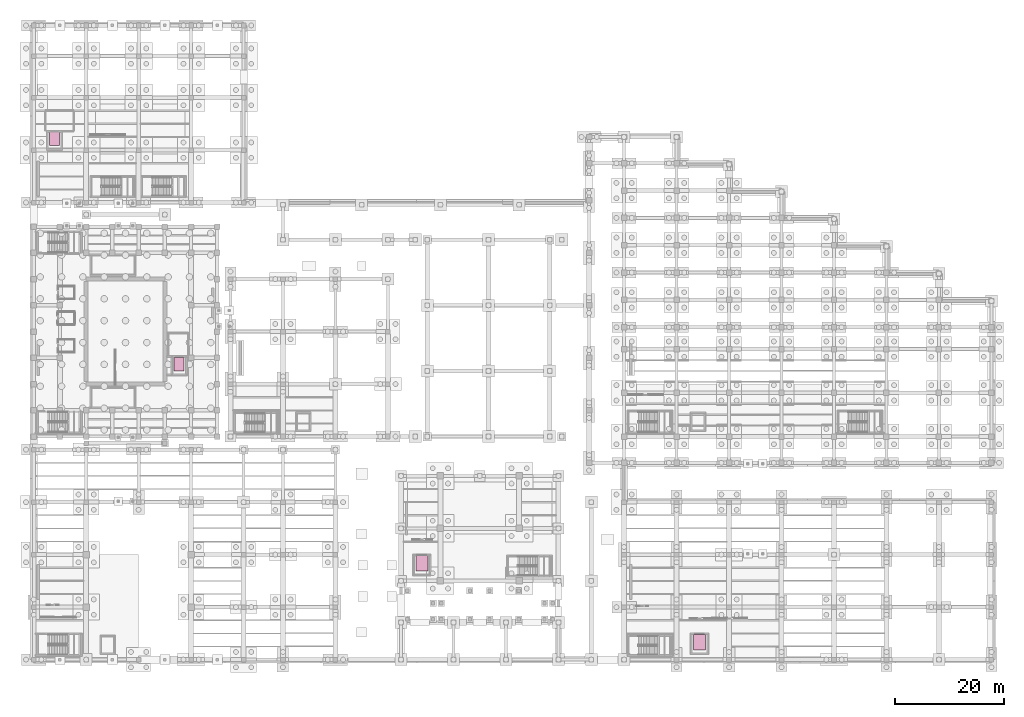
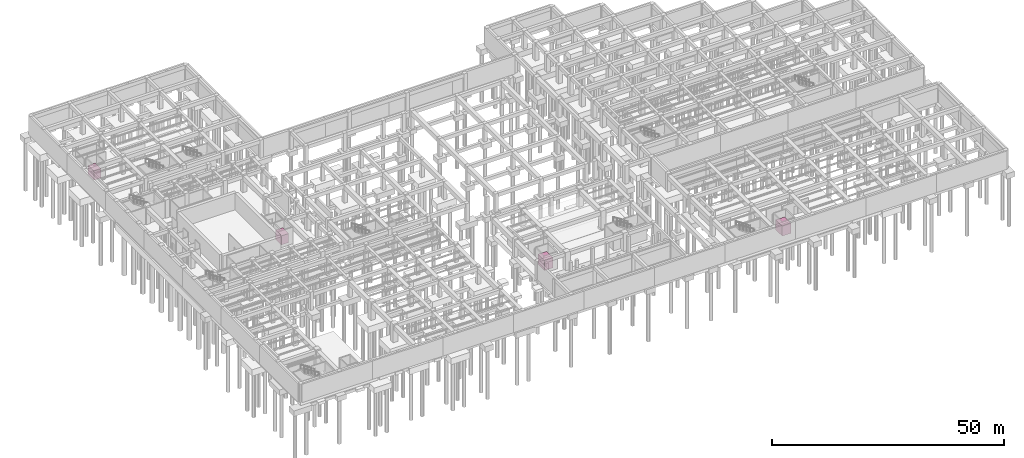
# One storey, part 56 of 56: 4 transport elements.
"""IFC4 building model written with IfcOpenShell, lengths in metres."""

from ifc_helpers import new_model, si_unit, direction, frame, origin, origin_2d, place, context, subcontext, project, spatial, rectangle, extrude, material, type_object, element, save


model = new_model("IFC4")

# Units and contexts
model_context = context("Model", 3, precision=1e-05, world=origin(), true_north=direction((0.0, 1.0)))
body_context = subcontext(model_context, "Body", "Model", "MODEL_VIEW")
ifc_project = project(units=[si_unit("LENGTHUNIT", "METRE"), si_unit("AREAUNIT", "SQUARE_METRE"), si_unit("VOLUMEUNIT", "CUBIC_METRE"), si_unit("PLANEANGLEUNIT", "RADIAN"), si_unit("MASSUNIT", "GRAM", prefix="KILO")], contexts=[model_context])

# Site, building, storey
site_placement = place(None, origin())
site = spatial("IfcSite", under=ifc_project, at=site_placement, CompositionType="ELEMENT")
building_placement = place(site_placement, origin())
building = spatial("IfcBuilding", under=site, at=building_placement, Name="Mavantir Sound Aquarium", CompositionType="ELEMENT")
storey_placement = place(building_placement, frame((0.0, 0.0, -9.60009765625)))
storey = spatial("IfcBuildingStorey", under=building, at=storey_placement, Name="B2", CompositionType="ELEMENT", Elevation=-9.60009765625)

# Transport elements
ifc_material_1 = material(Name="Stainless Steel 316 Firefighting Lift Car", Category="steel")
transport_element_type_1 = type_object("IfcTransportElementType", Name="LFT-FF-2000", PredefinedType="ELEVATOR", material=ifc_material_1)
for number, where, z_axis, x_axis, name in (
    (1, (26.60009765625, 54.050048828125, 0.000244140625), (0.0, 0.0, 1.0), (1.0, 0.0, 0.0), "Lift LC1 car"),
    (2, (3.800048828125, 95.25, 0.000244140625), (0.0, 0.0, 1.0), (1.0, 0.0, 0.0), "Lift LC2 car"),
):
    element("IfcTransportElement", number, at=place(storey_placement, frame(where, z_axis=z_axis, x_axis=x_axis)), inside=storey, type_object=transport_element_type_1, Name=name, PredefinedType="ELEVATOR", context=body_context, shape_type="SweptSolid", body=[
        extrude(rectangle(XDim=1.800048828125, YDim=2.5, at=origin_2d()), origin(), (0.0, 0.0, 1.0), 2.39990234375),
    ])
ifc_material_2 = material(Name="Heavy-Duty Marine Stainless Goods Lift Car")
transport_element_type_2 = type_object("IfcTransportElementType", Name="LFT-GDS-3500", PredefinedType="ELEVATOR", material=ifc_material_2)
for number, where, z_axis, x_axis, name in (
    (3, (121.800048828125, 3.199951171875, 0.0), (0.0, 0.0, 1.0), (1.0, 0.0, 0.0), "Lift LC6 car"),
    (4, (71.0, 17.60009765625, 0.0), (0.0, 0.0, 1.0), (1.0, 0.0, 0.0), "Lift LC7 car"),
):
    element("IfcTransportElement", number, at=place(storey_placement, frame(where, z_axis=z_axis, x_axis=x_axis)), inside=storey, type_object=transport_element_type_2, Name=name, PredefinedType="ELEVATOR", context=body_context, shape_type="SweptSolid", body=[
        extrude(rectangle(XDim=2.199951171875, YDim=2.800048828125, at=origin_2d()), origin(), (0.0, 0.0, 1.0), 2.60009765625),
    ])

save(model, "model.ifc")
